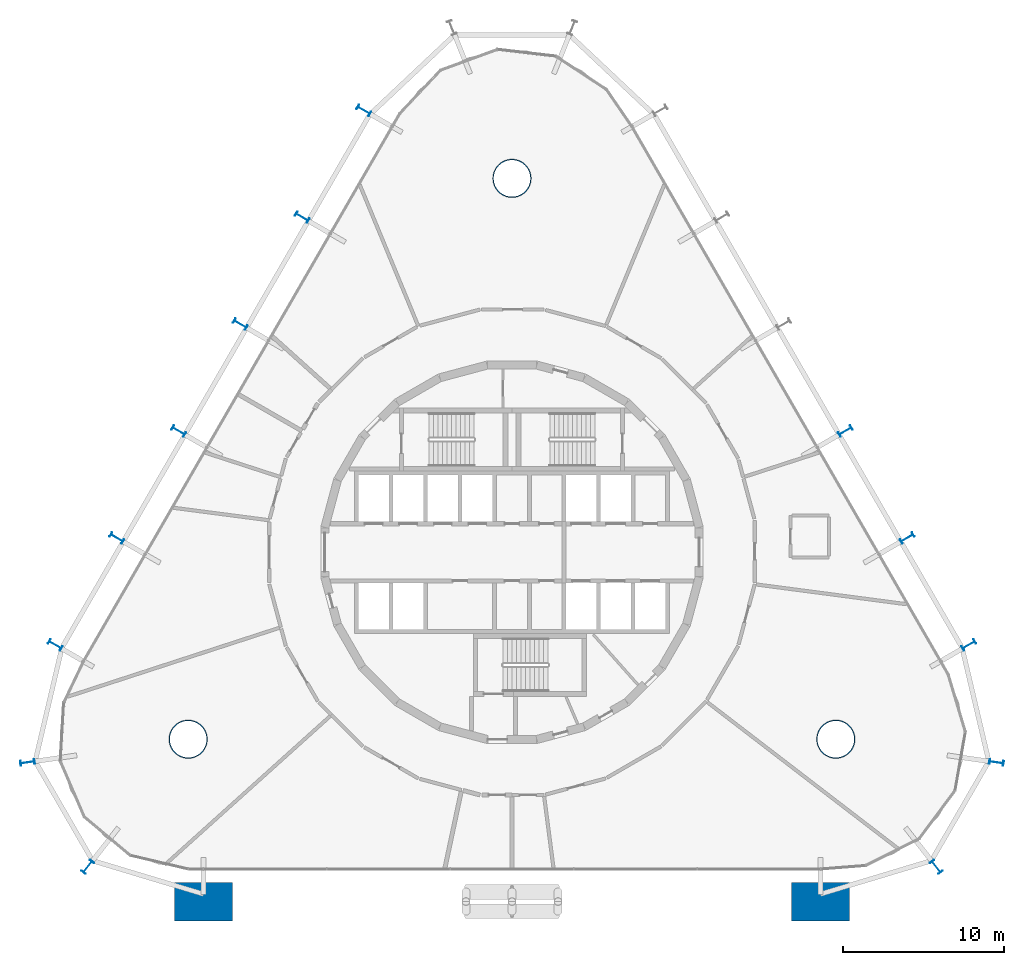
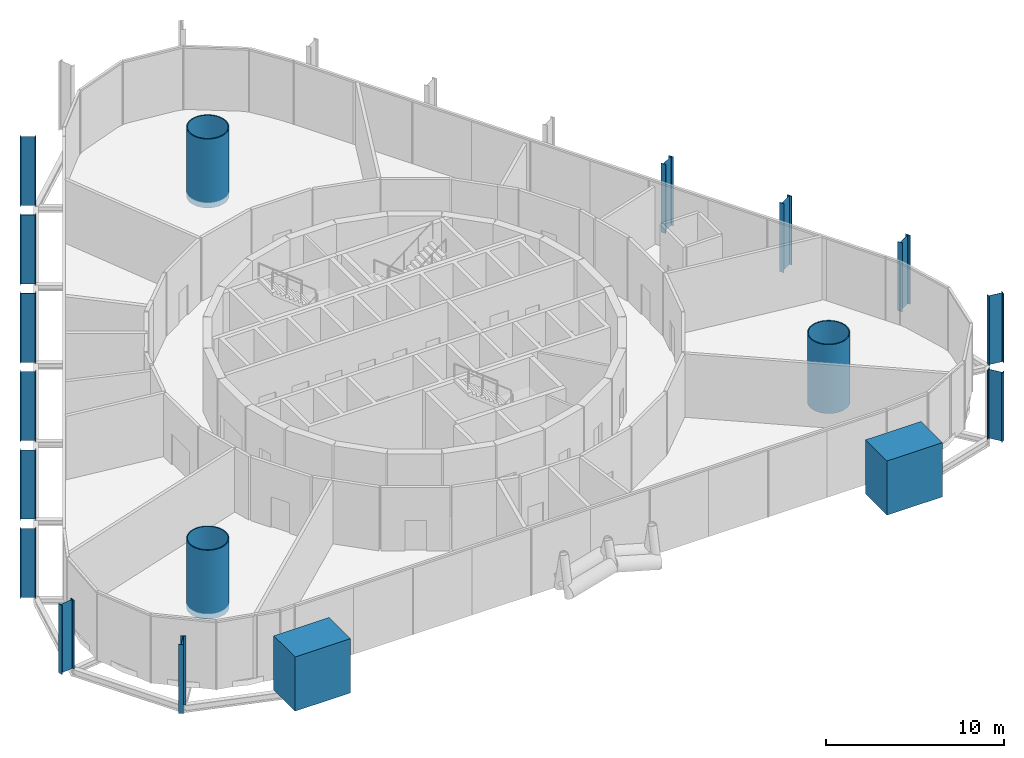
# One storey, part 1 of 17: 18 columns.
"""IFC4 building model written with IfcOpenShell, lengths in metres."""

import ifcopenshell
import ifcopenshell.guid

model = None  # the IFC model being written
_history = None  # IfcOwnerHistory: only IFC2X3 demands one
_inside = {}  # id of a spatial element -> (the spatial element, [elements in it])
_under = {}  # id of a project, library or spatial element -> (it, [spatial elements below it])
_declared = {}  # id of a project -> (the project, [libraries it declares])
_typed = {}  # id of a type object -> (the type object, [elements of that type])
_made_of = {}  # id of a material, layer set ... -> (it, [elements and type objects made of it])


def new_model(schema):
    """Start an empty IFC model of exactly this schema.

    Asked for "IFC4X3", IfcOpenShell would pick the latest addendum, in which some entities
    have other attributes; the version numbers below select the first issue.
    IFC2X3 requires an IfcOwnerHistory on every rooted entity: one is made here for all.
    """
    global model, _history
    if schema == "IFC4X3":
        model = ifcopenshell.file(schema_version=(4, 3, 0, 0))
    else:
        model = ifcopenshell.file(schema=schema)
    _inside.clear()
    _under.clear()
    _declared.clear()
    _typed.clear()
    _made_of.clear()
    _history = None
    if model.schema == "IFC2X3":
        org = make("IfcOrganization", Name="unknown")
        user = make(
            "IfcPersonAndOrganization",
            ThePerson=make("IfcPerson", FamilyName="unknown"),
            TheOrganization=org,
        )
        app = make(
            "IfcApplication",
            ApplicationDeveloper=org,
            Version="unknown",
            ApplicationFullName="unknown",
            ApplicationIdentifier="unknown",
        )
        _history = make(
            "IfcOwnerHistory",
            OwningUser=user,
            OwningApplication=app,
            ChangeAction="ADDED",
            CreationDate=0,
        )
    return model


def make(cls, **values):
    """One entity of the class cls with the attributes given. An attribute that is None is left unset."""
    return model.create_entity(
        cls, **{name: value for name, value in values.items() if value is not None}
    )


def rooted(cls, **values):
    """An entity with a GlobalId (a new one), such as an element, a storey or a relation."""
    return make(cls, GlobalId=ifcopenshell.guid.new(), OwnerHistory=_history, **values)


def si_unit(unit_type, name, prefix=None):
    """IfcSIUnit, for example si_unit("LENGTHUNIT", "METRE", prefix="MILLI")."""
    return make("IfcSIUnit", UnitType=unit_type, Prefix=prefix, Name=name)


def assignment(units):
    """IfcUnitAssignment: the units of a project."""
    return None if units is None else make("IfcUnitAssignment", Units=units)


def point(xyz):
    """IfcCartesianPoint."""
    return None if xyz is None else make("IfcCartesianPoint", Coordinates=xyz)


def direction(xyz):
    """IfcDirection."""
    return None if xyz is None else make("IfcDirection", DirectionRatios=xyz)


def frame(location, z_axis=None, x_axis=None):
    """IfcAxis2Placement3D, a coordinate frame: its origin and axes. An axis left out is left unset."""
    return make(
        "IfcAxis2Placement3D",
        Location=point(location),
        Axis=direction(z_axis),
        RefDirection=direction(x_axis),
    )


def frame_2d(location, x_axis=None):
    """IfcAxis2Placement2D, a coordinate frame in the plane: its origin and x axis."""
    return make(
        "IfcAxis2Placement2D", Location=point(location), RefDirection=direction(x_axis)
    )


def origin():
    """The frame at (0, 0, 0) with its axes left unset."""
    return frame((0.0, 0.0, 0.0))


def origin_2d():
    """The frame at (0, 0) in the plane with its x axis left unset."""
    return frame_2d((0.0, 0.0))


def place(relative_to, where):
    """IfcLocalPlacement: puts the frame where relative to a parent placement (None: the world)."""
    return make(
        "IfcLocalPlacement", PlacementRelTo=relative_to, RelativePlacement=where
    )


def context(
    kind, dimensions, precision=None, world=None, true_north=None, identifier=None
):
    """IfcGeometricRepresentationContext, for example the 3D "Model" context."""
    return make(
        "IfcGeometricRepresentationContext",
        ContextIdentifier=identifier,
        ContextType=kind,
        CoordinateSpaceDimension=dimensions,
        Precision=precision,
        WorldCoordinateSystem=world,
        TrueNorth=true_north,
    )


def subcontext(parent, identifier, kind, view, scale=None):
    """IfcGeometricRepresentationSubContext, for example "Body" below "Model"."""
    return make(
        "IfcGeometricRepresentationSubContext",
        ContextIdentifier=identifier,
        ContextType=kind,
        ParentContext=parent,
        TargetScale=scale,
        TargetView=view,
    )


def project(units=None, contexts=None):
    """IfcProject with its units and contexts."""
    return rooted(
        "IfcProject",
        Name="project",
        RepresentationContexts=contexts,
        UnitsInContext=assignment(units),
    )


def spatial(cls, under=None, at=None, **own):
    """A site, building, storey or space (cls), placed at a placement, below another one or the project."""
    s = rooted(cls, ObjectPlacement=at, **own)
    if under is not None:
        _under.setdefault(under.id(), (under, []))[1].append(s)
    return s


def profile(cls, at=None, kind="AREA", **sizes):
    """A parametric profile (cls). Its sizes go by their IFC names, for example OverallWidth=200.0."""
    return make(cls, ProfileType=kind, Position=at, **sizes)


def rectangle(**sizes):
    """IfcRectangleProfileDef."""
    return profile("IfcRectangleProfileDef", **sizes)


def hollow_circle(**sizes):
    """IfcCircleHollowProfileDef."""
    return profile("IfcCircleHollowProfileDef", **sizes)


def i_section(**sizes):
    """IfcIShapeProfileDef."""
    return profile("IfcIShapeProfileDef", **sizes)


def extrude(swept, where, along, depth):
    """IfcExtrudedAreaSolid: the profile swept, set in the frame where, extruded along a direction by depth."""
    return make(
        "IfcExtrudedAreaSolid",
        SweptArea=swept,
        Position=where,
        ExtrudedDirection=direction(along),
        Depth=depth,
    )


def shape(context_of_items, identifier, shape_type, items):
    """IfcShapeRepresentation: the items that make up one representation, for example the "Body"."""
    return make(
        "IfcShapeRepresentation",
        ContextOfItems=context_of_items,
        RepresentationIdentifier=identifier,
        RepresentationType=shape_type,
        Items=items,
    )


def material(Name=None, Category=None):
    """IfcMaterial."""
    return make("IfcMaterial", Name=Name, Category=Category)


def material_profile(
    of_material, cross_section, Name=None, Category=None, Priority=None
):
    """IfcMaterialProfile: a cross section and its material."""
    return make(
        "IfcMaterialProfile",
        Name=Name,
        Material=of_material,
        Profile=cross_section,
        Priority=Priority,
        Category=Category,
    )


def profile_set(profiles, Name=None, composite=None):
    """IfcMaterialProfileSet."""
    return make(
        "IfcMaterialProfileSet",
        Name=Name,
        MaterialProfiles=profiles,
        CompositeProfile=composite,
    )


def made_of(thing, what):
    """Note that an element or type object is made of a material, layer set ...; save() writes the relation."""
    if what is not None:
        _made_of.setdefault(what.id(), (what, []))[1].append(thing)
    return thing


def type_object(cls, material=None, **own):
    """A type object (cls), such as IfcWallType, which elements share."""
    return made_of(rooted(cls, **own), material)


def element(
    cls,
    number,
    at=None,
    inside=None,
    cuts=None,
    type_object=None,
    material=None,
    context=None,
    identifier="Body",
    shape_type=None,
    held_by="IfcProductDefinitionShape",
    body=None,
    shapes=None,
    **own,
):
    """One element of the class cls, such as IfcWall. Its Tag is "e" and its number.

    at: its placement. inside: the storey or other place that contains it. cuts: it is an
    opening in that element (IfcRelVoidsElement). A single representation is given by context,
    identifier, shape_type and body (its items); several are given by shapes. held_by: the class
    of the entity that holds the representations. save() writes the other relations.
    """
    e = rooted(cls, Tag="e%d" % number, ObjectPlacement=at, **own)
    if body is not None:
        shapes = [shape(context, identifier, shape_type, body)]
    if shapes is not None:
        e.Representation = make(held_by, Representations=shapes)
    if inside is not None:
        _inside.setdefault(inside.id(), (inside, []))[1].append(e)
    if cuts is not None:
        rooted(
            "IfcRelVoidsElement", RelatingBuildingElement=cuts, RelatedOpeningElement=e
        )
    if type_object is not None:
        _typed.setdefault(type_object.id(), (type_object, []))[1].append(e)
    return made_of(e, material)


def aggregate(whole, parts):
    """IfcRelAggregates: a whole, such as a stair, and the parts it consists of."""
    return rooted("IfcRelAggregates", RelatingObject=whole, RelatedObjects=parts)


def save(model, path):
    """Write the relations noted so far, then the file.

    IfcRelAggregates (storeys below a building ...), IfcRelContainedInSpatialStructure (elements
    in a storey), IfcRelDefinesByType, IfcRelAssociatesMaterial and IfcRelDeclares: one each for
    every whole, place, type object, material and project.
    """
    for whole, parts in _under.values():
        aggregate(whole, parts)
    for where, things in _inside.values():
        rooted(
            "IfcRelContainedInSpatialStructure",
            RelatedElements=things,
            RelatingStructure=where,
        )
    for kind, things in _typed.values():
        rooted("IfcRelDefinesByType", RelatedObjects=things, RelatingType=kind)
    for what, things in _made_of.values():
        rooted("IfcRelAssociatesMaterial", RelatedObjects=things, RelatingMaterial=what)
    for by, libraries in _declared.values():
        rooted("IfcRelDeclares", RelatingContext=by, RelatedDefinitions=libraries)
    model.write(path)


model = new_model("IFC4")

# Units and contexts
model_context = context("Model", 3, precision=1e-05, world=origin(), true_north=direction((0.0, 1.0)))
body_context = subcontext(model_context, "Body", "Model", "MODEL_VIEW")
ifc_project = project(units=[si_unit("LENGTHUNIT", "METRE"), si_unit("AREAUNIT", "SQUARE_METRE"), si_unit("VOLUMEUNIT", "CUBIC_METRE"), si_unit("PLANEANGLEUNIT", "RADIAN"), si_unit("MASSUNIT", "GRAM", prefix="KILO")], contexts=[model_context])

# Site, building, storey
site_placement = place(None, origin())
site = spatial("IfcSite", under=ifc_project, at=site_placement, CompositionType="ELEMENT")
building_placement = place(site_placement, origin())
building = spatial("IfcBuilding", under=site, at=building_placement, Name="Spindle Arch Residences", CompositionType="ELEMENT")
storey_placement = place(building_placement, frame((0.0, 0.0, 28.199951171875)))
storey = spatial("IfcBuildingStorey", under=building, at=storey_placement, Name="L05", CompositionType="ELEMENT", Elevation=28.199951171875)

# Columns
ifc_material_1 = material(Name="Concrete C50/60", Category="concrete")
ifc_material_profile_1 = material_profile(ifc_material_1, rectangle(XDim=3.60009765625, YDim=2.39990234375, at=origin_2d()), Name="RC 3600x2400")
ifc_profile_set_1 = profile_set([ifc_material_profile_1], Name="Concrete C50/60")
column_type_1 = type_object("IfcColumnType", Name="Arcade pier RC 3600x2400", PredefinedType="COLUMN", material=ifc_profile_set_1)
for number, where, z_axis, x_axis, name in (
    (1, (-19.2001953125, -21.72998046875, -0.3798828125), (0.0, 0.0, 1.0), (1.0, 0.0, 0.0), "Arcade pier W"),
    (2, (19.2001953125, -21.72998046875, -0.3798828125), (0.0, 0.0, 1.0), (1.0, 0.0, 0.0), "Arcade pier E"),
):
    element("IfcColumn", number, at=place(storey_placement, frame(where, z_axis=z_axis, x_axis=x_axis)), inside=storey, type_object=column_type_1, Name=name, PredefinedType="COLUMN", context=body_context, shape_type="SweptSolid", body=[
        extrude(rectangle(XDim=3.60009765625, YDim=2.39990234375, at=origin_2d()), origin(), (0.0, 0.0, 1.0), 3.721923828125),
    ])
ifc_material_2 = material(Name="Steel S460ML, intumescent coating R 240", Category="steel")
ifc_material_profile_2 = material_profile(ifc_material_2, i_section(OverallWidth=0.300048828125, OverallDepth=0.89990234375, WebThickness=0.0185546875, FlangeThickness=0.034912109375, FilletRadius=0.030029296875, at=origin_2d()), Name="HEB 900")
ifc_profile_set_2 = profile_set([ifc_material_profile_2], Name="Steel S460ML, intumescent coating R 240")
column_type_2 = type_object("IfcColumnType", Name="Exoskeleton post HEB 900", PredefinedType="COLUMN", material=ifc_profile_set_2)
for number, where, z_axis, x_axis, name in (
    (3, (26.3916015625, -19.565185546875, -0.3798828125), (0.0, 0.0, 1.0), (-0.7856835335, -0.618628632693, 0.0), "Exoskeleton post 4"),
    (4, (30.139892578125, -13.0732421875, -0.3798828125), (0.0, 0.0, 1.0), (-0.142906037553, -0.989736260036, 0.0), "Exoskeleton post 5"),
    (5, (28.418701171875, -5.762939453125, -0.3798828125), (0.0, 0.0, 1.0), (0.50000017485, -0.866025302835, 0.0), "Exoskeleton post 6"),
    (6, (24.57861328125, 0.88818359375, -0.3798828125), (0.0, 0.0, 1.0), (0.50000017485, -0.866025302835, 0.0), "Exoskeleton post 7"),
    (7, (20.73876953125, 7.539306640625, -0.3798828125), (0.0, 0.0, 1.0), (0.50000017485, -0.866025302835, 0.0), "Exoskeleton post 8"),
    (8, (-9.218505859375, 27.492919921875, -0.3798828125), (0.0, 0.0, 1.0), (0.50000017485, 0.866025302835, 0.0), "Exoskeleton post 14"),
    (9, (-13.05859375, 20.841796875, -0.3798828125), (0.0, 0.0, 1.0), (0.50000017485, 0.866025302835, 0.0), "Exoskeleton post 15"),
    (10, (-16.898681640625, 14.1904296875, -0.3798828125), (0.0, 0.0, 1.0), (0.50000017485, 0.866025302835, 0.0), "Exoskeleton post 16"),
    (11, (-20.73876953125, 7.539306640625, -0.3798828125), (0.0, 0.0, 1.0), (0.50000017485, 0.866025302835, 0.0), "Exoskeleton post 17"),
    (12, (-24.57861328125, 0.88818359375, -0.3798828125), (0.0, 0.0, 1.0), (0.50000017485, 0.866025302835, 0.0), "Exoskeleton post 18"),
    (13, (-28.418701171875, -5.762939453125, -0.3798828125), (0.0, 0.0, 1.0), (0.50000017485, 0.866025302835, 0.0), "Exoskeleton post 19"),
    (14, (-30.139892578125, -13.0732421875, -0.3798828125), (0.0, 0.0, 1.0), (-0.142906037553, 0.989736260036, 0.0), "Exoskeleton post 20"),
    (15, (-26.3916015625, -19.565185546875, -0.3798828125), (0.0, 0.0, 1.0), (-0.7856835335, 0.618628632693, 0.0), "Exoskeleton post 21"),
):
    element("IfcColumn", number, at=place(storey_placement, frame(where, z_axis=z_axis, x_axis=x_axis)), inside=storey, type_object=column_type_2, Name=name, PredefinedType="COLUMN", context=body_context, shape_type="SweptSolid", body=[
        extrude(i_section(OverallWidth=0.300048828125, OverallDepth=0.89990234375, WebThickness=0.0185546875, FlangeThickness=0.034912109375, FilletRadius=0.030029296875, at=origin_2d()), origin(), (0.0, 0.0, 1.0), 4.72998046875),
    ])
ifc_material_3 = material(Name="Concrete C50/60 filled steel tube S460ML, intumescent coating R 240", Category="concrete")
ifc_material_profile_3 = material_profile(ifc_material_3, hollow_circle(Radius=1.199951171875, WallThickness=0.06005859375, at=origin_2d()), Name="CFT D2400x60")
ifc_profile_set_3 = profile_set([ifc_material_profile_3], Name="Concrete C50/60 filled steel tube S460ML, intumescent coating R 240")
column_type_3 = type_object("IfcColumnType", Name="Mega-column CFT D2400x60", PredefinedType="COLUMN", material=ifc_profile_set_3)
for number, where, z_axis, x_axis, name in (
    (16, (20.1435546875, -11.6298828125, -0.3798828125), (0.0, 0.0, 1.0), (1.0, 0.0, 0.0), "Mega-column 1"),
    (17, (0.0, 23.259765625, -0.3798828125), (0.0, 0.0, 1.0), (1.0, 0.0, 0.0), "Mega-column 2"),
    (18, (-20.1435546875, -11.6298828125, -0.3798828125), (0.0, 0.0, 1.0), (1.0, 0.0, 0.0), "Mega-column 3"),
):
    element("IfcColumn", number, at=place(storey_placement, frame(where, z_axis=z_axis, x_axis=x_axis)), inside=storey, type_object=column_type_3, Name=name, PredefinedType="COLUMN", context=body_context, shape_type="SweptSolid", body=[
        extrude(hollow_circle(Radius=1.199951171875, WallThickness=0.06005859375, at=origin_2d()), origin(), (0.0, 0.0, 1.0), 4.72998046875),
    ])

save(model, "model.ifc")
